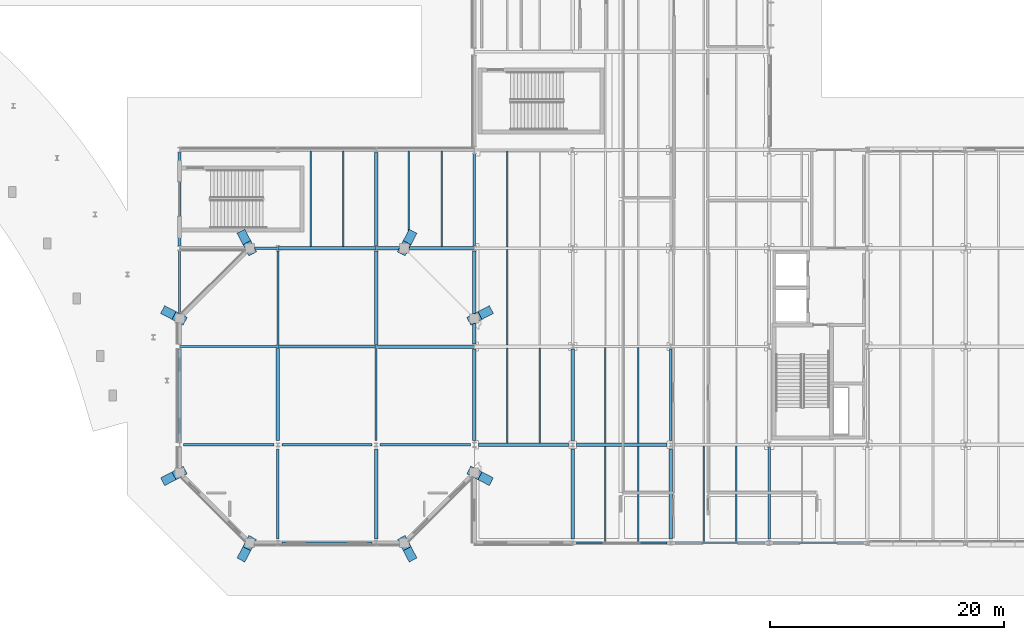
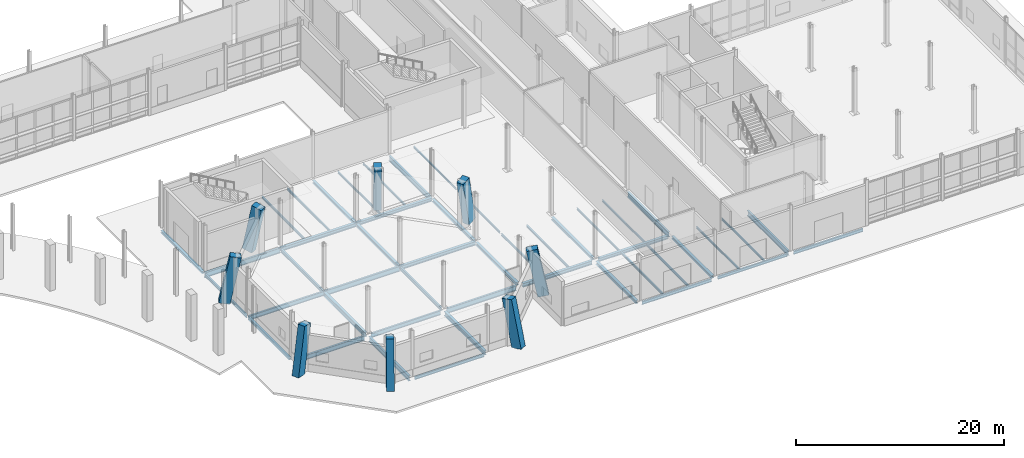
# One storey, part 22 of 124: 47 beams, 8 members.
"""IFC4 building model written with IfcOpenShell, lengths in metres."""

from ifc_helpers import new_model, si_unit, direction, frame, origin, origin_2d, place, context, subcontext, project, spatial, rectangle, i_section, extrude, material, material_profile, profile_set, type_object, element, save


model = new_model("IFC4")

# Units and contexts
model_context = context("Model", 3, precision=1e-05, world=origin(), true_north=direction((0.0, 1.0)))
body_context = subcontext(model_context, "Body", "Model", "MODEL_VIEW")
ifc_project = project(units=[si_unit("LENGTHUNIT", "METRE"), si_unit("AREAUNIT", "SQUARE_METRE"), si_unit("VOLUMEUNIT", "CUBIC_METRE"), si_unit("PLANEANGLEUNIT", "RADIAN"), si_unit("MASSUNIT", "GRAM", prefix="KILO")], contexts=[model_context])

# Site, building, storey
site_placement = place(None, origin())
site = spatial("IfcSite", under=ifc_project, at=site_placement, CompositionType="ELEMENT")
building_placement = place(site_placement, origin())
building = spatial("IfcBuilding", under=site, at=building_placement, Name="Mersafa Astral City Hall", CompositionType="ELEMENT")
storey_placement = place(building_placement, origin())
storey = spatial("IfcBuildingStorey", under=building, at=storey_placement, Name="L00", CompositionType="ELEMENT", Elevation=0.0)

# Beams
ifc_material_1 = material(Name="Steel S355", Category="steel")
ifc_material_profile_1 = material_profile(ifc_material_1, i_section(OverallWidth=0.300048828125, OverallDepth=0.31005859375, WebThickness=0.009033203125, FlangeThickness=0.015380859375, FilletRadius=0.027099609375, at=origin_2d()), Name="HEA 320")
ifc_profile_set_1 = profile_set([ifc_material_profile_1], Name="Steel S355")
beam_type_1 = type_object("IfcBeamType", Name="STR-BM-HEA320", PredefinedType="BEAM", material=ifc_profile_set_1)
for number, where, z_axis, x_axis, name in (
    (1, (84.0, 25.419921875, -0.405029296875), (0.0, 1.0, 0.0), (-1.0, 0.0, 0.0), "L00 Primary girder Y 10-3"),
    (2, (92.39990234375, 17.02001953125, -0.405029296875), (0.0, 1.0, 0.0), (-1.0, 0.0, 0.0), "L00 Primary girder Y 11-2"),
):
    element("IfcBeam", number, at=place(storey_placement, frame(where, z_axis=z_axis, x_axis=x_axis)), inside=storey, type_object=beam_type_1, Name=name, PredefinedType="BEAM", context=body_context, shape_type="SweptSolid", body=[
        extrude(i_section(OverallWidth=0.300048828125, OverallDepth=0.31005859375, WebThickness=0.009033203125, FlangeThickness=0.015380859375, FilletRadius=0.027099609375, at=origin_2d()), origin(), (0.0, 0.0, 1.0), 7.9599609375),
    ])
beam_1_placement = place(storey_placement, frame((100.800048828125, 8.7451171875, -0.405029296875), z_axis=(0.0, 1.0, 0.0), x_axis=(-1.0, 0.0, 0.0)))
element("IfcBeam", 3, at=beam_1_placement, inside=storey, type_object=beam_type_1, Name="L00 Primary girder Y 12-1", PredefinedType="BEAM", context=body_context, shape_type="SweptSolid", body=[
    extrude(i_section(OverallWidth=0.300048828125, OverallDepth=0.31005859375, WebThickness=0.009033203125, FlangeThickness=0.015380859375, FilletRadius=0.027099609375, at=origin_2d()), origin(), (0.0, 0.0, 1.0), 7.85986328125),
])
beam_2_placement = place(storey_placement, frame((109.199951171875, 0.344970703125, -0.405029296875), z_axis=(0.0, 1.0, 0.0), x_axis=(-1.0, 0.0, 0.0)))
element("IfcBeam", 4, at=beam_2_placement, inside=storey, type_object=beam_type_1, Name="L00 Primary girder Y 13-0", PredefinedType="BEAM", context=body_context, shape_type="SweptSolid", body=[
    extrude(i_section(OverallWidth=0.300048828125, OverallDepth=0.31005859375, WebThickness=0.009033203125, FlangeThickness=0.015380859375, FilletRadius=0.027099609375, at=origin_2d()), origin(), (0.0, 0.0, 1.0), 7.7099609375),
])
ifc_material_profile_2 = material_profile(ifc_material_1, i_section(OverallWidth=0.300048828125, OverallDepth=0.35009765625, WebThickness=0.010009765625, FlangeThickness=0.017578125, FilletRadius=0.027099609375, at=origin_2d()), Name="HEA 360")
ifc_profile_set_2 = profile_set([ifc_material_profile_2], Name="Steel S355")
beam_type_2 = type_object("IfcBeamType", Name="STR-BM-HEA360", PredefinedType="BEAM", material=ifc_profile_set_2)
beam_3_placement = place(storey_placement, frame((84.0, 16.97509765625, -0.425048828125), z_axis=(0.0, 1.0, 0.0), x_axis=(-1.0, 0.0, 0.0)))
element("IfcBeam", 5, at=beam_3_placement, inside=storey, type_object=beam_type_2, Name="L00 Primary girder Y 10-2", PredefinedType="BEAM", context=body_context, shape_type="SweptSolid", body=[
    extrude(i_section(OverallWidth=0.300048828125, OverallDepth=0.35009765625, WebThickness=0.010009765625, FlangeThickness=0.017578125, FilletRadius=0.027099609375, at=origin_2d()), origin(), (0.0, 0.0, 1.0), 8.0048828125),
])
beam_4_placement = place(storey_placement, frame((92.39990234375, 8.7451171875, -0.425048828125), z_axis=(0.0, 1.0, 0.0), x_axis=(-1.0, 0.0, 0.0)))
element("IfcBeam", 6, at=beam_4_placement, inside=storey, type_object=beam_type_2, Name="L00 Primary girder Y 11-1", PredefinedType="BEAM", context=body_context, shape_type="SweptSolid", body=[
    extrude(i_section(OverallWidth=0.300048828125, OverallDepth=0.35009765625, WebThickness=0.010009765625, FlangeThickness=0.017578125, FilletRadius=0.027099609375, at=origin_2d()), origin(), (0.0, 0.0, 1.0), 7.8349609375),
])
beam_5_placement = place(storey_placement, frame((100.800048828125, 0.344970703125, -0.425048828125), z_axis=(0.0, 1.0, 0.0), x_axis=(-1.0, 0.0, 0.0)))
element("IfcBeam", 7, at=beam_5_placement, inside=storey, type_object=beam_type_2, Name="L00 Primary girder Y 12-0", PredefinedType="BEAM", context=body_context, shape_type="SweptSolid", body=[
    extrude(i_section(OverallWidth=0.300048828125, OverallDepth=0.35009765625, WebThickness=0.010009765625, FlangeThickness=0.017578125, FilletRadius=0.027099609375, at=origin_2d()), origin(), (0.0, 0.0, 1.0), 7.7099609375),
])
ifc_material_profile_3 = material_profile(ifc_material_1, i_section(OverallWidth=0.300048828125, OverallDepth=0.389892578125, WebThickness=0.010986328125, FlangeThickness=0.01904296875, FilletRadius=0.027099609375, at=origin_2d()), Name="HEA 400")
ifc_profile_set_3 = profile_set([ifc_material_profile_3], Name="Steel S355")
beam_type_3 = type_object("IfcBeamType", Name="STR-BM-HEA400", PredefinedType="BEAM", material=ifc_profile_set_3)
beam_6_placement = place(storey_placement, frame((101.14501953125, 8.39990234375, -0.445068359375), z_axis=(1.0, 0.0, 0.0), x_axis=(0.0, 1.0, 0.0)))
element("IfcBeam", 8, at=beam_6_placement, inside=storey, type_object=beam_type_3, Name="L00 Primary girder X 12-1", PredefinedType="BEAM", context=body_context, shape_type="SweptSolid", body=[
    extrude(i_section(OverallWidth=0.300048828125, OverallDepth=0.389892578125, WebThickness=0.010986328125, FlangeThickness=0.01904296875, FilletRadius=0.027099609375, at=origin_2d()), origin(), (0.0, 0.0, 1.0), 7.7099609375),
])
beam_7_placement = place(storey_placement, frame((84.0029296875, 25.199951171875, -0.445068359375), z_axis=(1.0, 0.0, 0.0), x_axis=(0.0, 1.0, 0.0)))
element("IfcBeam", 9, at=beam_7_placement, inside=storey, type_object=beam_type_3, Name="L00 Primary girder X 10-3", PredefinedType="BEAM", context=body_context, shape_type="SweptSolid", body=[
    extrude(i_section(OverallWidth=0.300048828125, OverallDepth=0.389892578125, WebThickness=0.010986328125, FlangeThickness=0.01904296875, FilletRadius=0.027099609375, at=origin_2d()), origin(), (0.0, 0.0, 1.0), 8.39404296875),
])
ifc_material_profile_4 = material_profile(ifc_material_1, i_section(OverallWidth=0.300048828125, OverallDepth=0.43994140625, WebThickness=0.011474609375, FlangeThickness=0.02099609375, FilletRadius=0.027099609375, at=origin_2d()), Name="HEA 450")
ifc_profile_set_4 = profile_set([ifc_material_profile_4], Name="Steel S355")
beam_type_4 = type_object("IfcBeamType", Name="STR-BM-HEA450", PredefinedType="BEAM", material=ifc_profile_set_4)
beam_8_placement = place(storey_placement, frame((92.7451171875, 8.39990234375, -0.469970703125), z_axis=(1.0, 0.0, 0.0), x_axis=(0.0, 1.0, 0.0)))
element("IfcBeam", 10, at=beam_8_placement, inside=storey, type_object=beam_type_4, Name="L00 Primary girder X 11-1", PredefinedType="BEAM", context=body_context, shape_type="SweptSolid", body=[
    extrude(i_section(OverallWidth=0.300048828125, OverallDepth=0.43994140625, WebThickness=0.011474609375, FlangeThickness=0.02099609375, FilletRadius=0.027099609375, at=origin_2d()), origin(), (0.0, 0.0, 1.0), 7.7099609375),
])
for number, where, z_axis, x_axis, name in (
    (11, (84.0029296875, 16.800048828125, -0.469970703125), (1.0, 0.0, 0.0), (0.0, 1.0, 0.0), "L00 Primary girder X 10-2"),
    (12, (75.60302734375, 25.199951171875, -0.469970703125), (1.0, 0.0, 0.0), (0.0, 1.0, 0.0), "L00 Primary girder X 9-3"),
):
    element("IfcBeam", number, at=place(storey_placement, frame(where, z_axis=z_axis, x_axis=x_axis)), inside=storey, type_object=beam_type_4, Name=name, PredefinedType="BEAM", context=body_context, shape_type="SweptSolid", body=[
        extrude(i_section(OverallWidth=0.300048828125, OverallDepth=0.43994140625, WebThickness=0.011474609375, FlangeThickness=0.02099609375, FilletRadius=0.027099609375, at=origin_2d()), origin(), (0.0, 0.0, 1.0), 8.39404296875),
    ])
ifc_material_profile_5 = material_profile(ifc_material_1, i_section(OverallWidth=0.300048828125, OverallDepth=0.489990234375, WebThickness=0.011962890625, FlangeThickness=0.02294921875, FilletRadius=0.027099609375, at=origin_2d()), Name="HEA 500")
ifc_profile_set_5 = profile_set([ifc_material_profile_5], Name="Steel S355")
beam_type_5 = type_object("IfcBeamType", Name="STR-BM-HEA500", PredefinedType="BEAM", material=ifc_profile_set_5)
beam_9_placement = place(storey_placement, frame((75.60009765625, 8.7451171875, -0.4951171875), z_axis=(0.0, 1.0, 0.0), x_axis=(-1.0, 0.0, 0.0)))
element("IfcBeam", 13, at=beam_9_placement, inside=storey, type_object=beam_type_5, Name="L00 Primary girder Y 9-1", PredefinedType="BEAM", context=body_context, shape_type="SweptSolid", body=[
    extrude(i_section(OverallWidth=0.300048828125, OverallDepth=0.489990234375, WebThickness=0.011962890625, FlangeThickness=0.02294921875, FilletRadius=0.027099609375, at=origin_2d()), origin(), (0.0, 0.0, 1.0), 7.889892578125),
])
beam_10_placement = place(storey_placement, frame((84.0, 0.344970703125, -0.4951171875), z_axis=(0.0, 1.0, 0.0), x_axis=(-1.0, 0.0, 0.0)))
element("IfcBeam", 14, at=beam_10_placement, inside=storey, type_object=beam_type_5, Name="L00 Primary girder Y 10-0", PredefinedType="BEAM", context=body_context, shape_type="SweptSolid", body=[
    extrude(i_section(OverallWidth=0.300048828125, OverallDepth=0.489990234375, WebThickness=0.011962890625, FlangeThickness=0.02294921875, FilletRadius=0.027099609375, at=origin_2d()), origin(), (0.0, 0.0, 1.0), 7.7099609375),
])
ifc_material_profile_6 = material_profile(ifc_material_1, i_section(OverallWidth=0.179931640625, OverallDepth=0.39990234375, WebThickness=0.008544921875, FlangeThickness=0.013427734375, FilletRadius=0.02099609375, at=origin_2d()), Name="IPE 400")
ifc_profile_set_6 = profile_set([ifc_material_profile_6], Name="Steel S355")
beam_type_6 = type_object("IfcBeamType", Name="STR-BM-IPE400", PredefinedType="BEAM", material=ifc_profile_set_6)
beam_11_placement = place(storey_placement, frame((75.60009765625, 16.965087890625, -0.449951171875), z_axis=(0.0, 1.0, 0.0), x_axis=(-1.0, 0.0, 0.0)))
element("IfcBeam", 15, at=beam_11_placement, inside=storey, type_object=beam_type_6, Name="L00 Primary girder Y 9-2", PredefinedType="BEAM", context=body_context, shape_type="SweptSolid", body=[
    extrude(i_section(OverallWidth=0.179931640625, OverallDepth=0.39990234375, WebThickness=0.008544921875, FlangeThickness=0.013427734375, FilletRadius=0.02099609375, at=origin_2d()), origin(), (0.0, 0.0, 1.0), 8.014892578125),
])
beam_12_placement = place(storey_placement, frame((84.0, 8.7451171875, -0.449951171875), z_axis=(0.0, 1.0, 0.0), x_axis=(-1.0, 0.0, 0.0)))
element("IfcBeam", 16, at=beam_12_placement, inside=storey, type_object=beam_type_6, Name="L00 Primary girder Y 10-1", PredefinedType="BEAM", context=body_context, shape_type="SweptSolid", body=[
    extrude(i_section(OverallWidth=0.179931640625, OverallDepth=0.39990234375, WebThickness=0.008544921875, FlangeThickness=0.013427734375, FilletRadius=0.02099609375, at=origin_2d()), origin(), (0.0, 0.0, 1.0), 7.8798828125),
])
ifc_material_profile_7 = material_profile(ifc_material_1, i_section(OverallWidth=0.199951171875, OverallDepth=0.5, WebThickness=0.01025390625, FlangeThickness=0.01611328125, FilletRadius=0.02099609375, at=origin_2d()), Name="IPE 500")
ifc_profile_set_7 = profile_set([ifc_material_profile_7], Name="Steel S355")
beam_type_7 = type_object("IfcBeamType", Name="STR-BM-IPE500", PredefinedType="BEAM", material=ifc_profile_set_7)
beam_13_placement = place(storey_placement, frame((75.945068359375, 8.39990234375, -0.5), z_axis=(1.0, 0.0, 0.0), x_axis=(0.0, 1.0, 0.0)))
element("IfcBeam", 17, at=beam_13_placement, inside=storey, type_object=beam_type_7, Name="L00 Primary girder X 9-1", PredefinedType="BEAM", context=body_context, shape_type="SweptSolid", body=[
    extrude(i_section(OverallWidth=0.199951171875, OverallDepth=0.5, WebThickness=0.01025390625, FlangeThickness=0.01611328125, FilletRadius=0.02099609375, at=origin_2d()), origin(), (0.0, 0.0, 1.0), 7.7099609375),
])
beam_14_placement = place(storey_placement, frame((67.202880859375, 16.800048828125, -0.5), z_axis=(1.0, 0.0, 0.0), x_axis=(0.0, 1.0, 0.0)))
element("IfcBeam", 18, at=beam_14_placement, inside=storey, type_object=beam_type_7, Name="L00 Primary girder X 8-2", PredefinedType="BEAM", context=body_context, shape_type="SweptSolid", body=[
    extrude(i_section(OverallWidth=0.199951171875, OverallDepth=0.5, WebThickness=0.01025390625, FlangeThickness=0.01611328125, FilletRadius=0.02099609375, at=origin_2d()), origin(), (0.0, 0.0, 1.0), 8.39404296875),
])
ifc_material_profile_8 = material_profile(ifc_material_1, i_section(OverallWidth=0.2099609375, OverallDepth=0.550048828125, WebThickness=0.010986328125, FlangeThickness=0.01708984375, FilletRadius=0.02392578125, at=origin_2d()), Name="IPE 550")
ifc_profile_set_8 = profile_set([ifc_material_profile_8], Name="Steel S355")
beam_type_8 = type_object("IfcBeamType", Name="STR-BM-IPE550", PredefinedType="BEAM", material=ifc_profile_set_8)
beam_15_placement = place(storey_placement, frame((67.544921875, 8.39990234375, -0.52490234375), z_axis=(1.0, 0.0, 0.0), x_axis=(0.0, 1.0, 0.0)))
element("IfcBeam", 19, at=beam_15_placement, inside=storey, type_object=beam_type_8, Name="L00 Primary girder X 8-1", PredefinedType="BEAM", context=body_context, shape_type="SweptSolid", body=[
    extrude(i_section(OverallWidth=0.2099609375, OverallDepth=0.550048828125, WebThickness=0.010986328125, FlangeThickness=0.01708984375, FilletRadius=0.02392578125, at=origin_2d()), origin(), (0.0, 0.0, 1.0), 7.7099609375),
])
ifc_material_profile_9 = material_profile(ifc_material_1, i_section(OverallWidth=0.219970703125, OverallDepth=0.60009765625, WebThickness=0.011962890625, FlangeThickness=0.01904296875, FilletRadius=0.02392578125, at=origin_2d()), Name="IPE 600")
ifc_profile_set_9 = profile_set([ifc_material_profile_9], Name="Steel S355")
beam_type_9 = type_object("IfcBeamType", Name="STR-BM-IPE600", PredefinedType="BEAM", material=ifc_profile_set_9)
beam_16_placement = place(storey_placement, frame((84.344970703125, 8.39990234375, -0.550048828125), z_axis=(1.0, 0.0, 0.0), x_axis=(0.0, 1.0, 0.0)))
element("IfcBeam", 20, at=beam_16_placement, inside=storey, type_object=beam_type_9, Name="L00 Primary girder X 10-1", PredefinedType="BEAM", context=body_context, shape_type="SweptSolid", body=[
    extrude(i_section(OverallWidth=0.219970703125, OverallDepth=0.60009765625, WebThickness=0.011962890625, FlangeThickness=0.01904296875, FilletRadius=0.02392578125, at=origin_2d()), origin(), (0.0, 0.0, 1.0), 7.7099609375),
])
for number, where, z_axis, x_axis, name in (
    (21, (75.60302734375, 16.800048828125, -0.550048828125), (1.0, 0.0, 0.0), (0.0, 1.0, 0.0), "L00 Primary girder X 9-2"),
    (22, (67.202880859375, 25.199951171875, -0.550048828125), (1.0, 0.0, 0.0), (0.0, 1.0, 0.0), "L00 Primary girder X 8-3"),
):
    element("IfcBeam", number, at=place(storey_placement, frame(where, z_axis=z_axis, x_axis=x_axis)), inside=storey, type_object=beam_type_9, Name=name, PredefinedType="BEAM", context=body_context, shape_type="SweptSolid", body=[
        extrude(i_section(OverallWidth=0.219970703125, OverallDepth=0.60009765625, WebThickness=0.011962890625, FlangeThickness=0.01904296875, FilletRadius=0.02392578125, at=origin_2d()), origin(), (0.0, 0.0, 1.0), 8.39404296875),
    ])
beam_17_placement = place(storey_placement, frame((75.60009765625, 0.344970703125, -0.550048828125), z_axis=(0.0, 1.0, 0.0), x_axis=(-1.0, 0.0, 0.0)))
element("IfcBeam", 23, at=beam_17_placement, inside=storey, type_object=beam_type_9, Name="L00 Primary girder Y 9-0", PredefinedType="BEAM", context=body_context, shape_type="SweptSolid", body=[
    extrude(i_section(OverallWidth=0.219970703125, OverallDepth=0.60009765625, WebThickness=0.011962890625, FlangeThickness=0.01904296875, FilletRadius=0.02392578125, at=origin_2d()), origin(), (0.0, 0.0, 1.0), 7.7099609375),
])
beam_18_placement = place(storey_placement, frame((92.39990234375, 25.419921875, -0.550048828125), z_axis=(0.0, 1.0, 0.0), x_axis=(-1.0, 0.0, 0.0)))
element("IfcBeam", 24, at=beam_18_placement, inside=storey, type_object=beam_type_9, Name="L00 Primary girder Y 11-3", PredefinedType="BEAM", context=body_context, shape_type="SweptSolid", body=[
    extrude(i_section(OverallWidth=0.219970703125, OverallDepth=0.60009765625, WebThickness=0.011962890625, FlangeThickness=0.01904296875, FilletRadius=0.02392578125, at=origin_2d()), origin(), (0.0, 0.0, 1.0), 7.860107421875),
])
beam_19_placement = place(storey_placement, frame((109.199951171875, 8.7451171875, -0.550048828125), z_axis=(0.0, 1.0, 0.0), x_axis=(-1.0, 0.0, 0.0)))
element("IfcBeam", 25, at=beam_19_placement, inside=storey, type_object=beam_type_9, Name="L00 Primary girder Y 13-1", PredefinedType="BEAM", context=body_context, shape_type="SweptSolid", body=[
    extrude(i_section(OverallWidth=0.219970703125, OverallDepth=0.60009765625, WebThickness=0.011962890625, FlangeThickness=0.01904296875, FilletRadius=0.02392578125, at=origin_2d()), origin(), (0.0, 0.0, 1.0), 7.85986328125),
])
beam_20_placement = place(storey_placement, frame((117.60009765625, 0.344970703125, -0.550048828125), z_axis=(0.0, 1.0, 0.0), x_axis=(-1.0, 0.0, 0.0)))
element("IfcBeam", 26, at=beam_20_placement, inside=storey, type_object=beam_type_9, Name="L00 Primary girder Y 14-0", PredefinedType="BEAM", context=body_context, shape_type="SweptSolid", body=[
    extrude(i_section(OverallWidth=0.219970703125, OverallDepth=0.60009765625, WebThickness=0.011962890625, FlangeThickness=0.01904296875, FilletRadius=0.02392578125, at=origin_2d()), origin(), (0.0, 0.0, 1.0), 7.81005859375),
])
ifc_material_profile_10 = material_profile(ifc_material_1, i_section(OverallWidth=0.110107421875, OverallDepth=0.219970703125, WebThickness=0.005859375, FlangeThickness=0.00927734375, FilletRadius=0.011962890625, at=origin_2d()), Name="IPE 220")
ifc_profile_set_10 = profile_set([ifc_material_profile_10], Name="Steel S355")
beam_type_10 = type_object("IfcBeamType", Name="STR-BM-JOIST-IPE220", PredefinedType="JOIST", material=ifc_profile_set_10)
beam_21_placement = place(storey_placement, frame((95.199951171875, 25.300048828125, -0.360107421875), z_axis=(0.0, 1.0, 0.0), x_axis=(-1.0, 0.0, 0.0)))
element("IfcBeam", 27, at=beam_21_placement, inside=storey, type_object=beam_type_10, Name="L00 Composite secondary floor joist 62", PredefinedType="JOIST", context=body_context, shape_type="SweptSolid", body=[
    extrude(i_section(OverallWidth=0.110107421875, OverallDepth=0.219970703125, WebThickness=0.005859375, FlangeThickness=0.00927734375, FilletRadius=0.011962890625, at=origin_2d()), origin(), (0.0, 0.0, 1.0), 8.204833984375),
])
ifc_material_profile_11 = material_profile(ifc_material_1, i_section(OverallWidth=0.1201171875, OverallDepth=0.239990234375, WebThickness=0.006103515625, FlangeThickness=0.009765625, FilletRadius=0.014892578125, at=origin_2d()), Name="IPE 240")
ifc_profile_set_11 = profile_set([ifc_material_profile_11], Name="Steel S355")
beam_type_11 = type_object("IfcBeamType", Name="STR-BM-JOIST-IPE240", PredefinedType="JOIST", material=ifc_profile_set_11)
for number, where, z_axis, x_axis, name in (
    (28, (86.800048828125, 25.344970703125, -0.3701171875), (0.0, 1.0, 0.0), (-1.0, 0.0, 0.0), "L00 Composite secondary floor joist 52"),
    (29, (89.60009765625, 25.344970703125, -0.3701171875), (0.0, 1.0, 0.0), (-1.0, 0.0, 0.0), "L00 Composite secondary floor joist 53"),
):
    element("IfcBeam", number, at=place(storey_placement, frame(where, z_axis=z_axis, x_axis=x_axis)), inside=storey, type_object=beam_type_11, Name=name, PredefinedType="JOIST", context=body_context, shape_type="SweptSolid", body=[
        extrude(i_section(OverallWidth=0.1201171875, OverallDepth=0.239990234375, WebThickness=0.006103515625, FlangeThickness=0.009765625, FilletRadius=0.014892578125, at=origin_2d()), origin(), (0.0, 0.0, 1.0), 8.175048828125),
    ])
for number, where, z_axis, x_axis, name in (
    (30, (95.199951171875, 16.945068359375, -0.3701171875), (0.0, 1.0, 0.0), (-1.0, 0.0, 0.0), "L00 Composite secondary floor joist 60"),
    (31, (103.60009765625, 8.544921875, -0.3701171875), (0.0, 1.0, 0.0), (-1.0, 0.0, 0.0), "L00 Composite secondary floor joist 80"),
    (32, (106.39990234375, 8.544921875, -0.3701171875), (0.0, 1.0, 0.0), (-1.0, 0.0, 0.0), "L00 Composite secondary floor joist 81"),
):
    element("IfcBeam", number, at=place(storey_placement, frame(where, z_axis=z_axis, x_axis=x_axis)), inside=storey, type_object=beam_type_11, Name=name, PredefinedType="JOIST", context=body_context, shape_type="SweptSolid", body=[
        extrude(i_section(OverallWidth=0.1201171875, OverallDepth=0.239990234375, WebThickness=0.006103515625, FlangeThickness=0.009765625, FilletRadius=0.014892578125, at=origin_2d()), origin(), (0.0, 0.0, 1.0), 8.155029296875),
    ])
for number, where, z_axis, x_axis, name in (
    (33, (112.0, 0.074951171875, -0.3701171875), (0.0, 1.0, 0.0), (-1.0, 0.0, 0.0), "L00 Composite secondary floor joist 108"),
    (34, (114.800048828125, 0.074951171875, -0.3701171875), (0.0, 1.0, 0.0), (-1.0, 0.0, 0.0), "L00 Composite secondary floor joist 109"),
):
    element("IfcBeam", number, at=place(storey_placement, frame(where, z_axis=z_axis, x_axis=x_axis)), inside=storey, type_object=beam_type_11, Name=name, PredefinedType="JOIST", context=body_context, shape_type="SweptSolid", body=[
        extrude(i_section(OverallWidth=0.1201171875, OverallDepth=0.239990234375, WebThickness=0.006103515625, FlangeThickness=0.009765625, FilletRadius=0.014892578125, at=origin_2d()), origin(), (0.0, 0.0, 1.0), 8.22509765625),
    ])
ifc_material_profile_12 = material_profile(ifc_material_1, i_section(OverallWidth=0.135009765625, OverallDepth=0.27001953125, WebThickness=0.006591796875, FlangeThickness=0.01025390625, FilletRadius=0.014892578125, at=origin_2d()), Name="IPE 270")
ifc_profile_set_12 = profile_set([ifc_material_profile_12], Name="Steel S355")
beam_type_12 = type_object("IfcBeamType", Name="STR-BM-JOIST-IPE270", PredefinedType="JOIST", material=ifc_profile_set_12)
for number, where, z_axis, x_axis, name in (
    (35, (78.39990234375, 25.344970703125, -0.385009765625), (0.0, 1.0, 0.0), (-1.0, 0.0, 0.0), "L00 Composite secondary floor joist 46"),
    (36, (81.199951171875, 25.344970703125, -0.385009765625), (0.0, 1.0, 0.0), (-1.0, 0.0, 0.0), "L00 Composite secondary floor joist 47"),
):
    element("IfcBeam", number, at=place(storey_placement, frame(where, z_axis=z_axis, x_axis=x_axis)), inside=storey, type_object=beam_type_12, Name=name, PredefinedType="JOIST", context=body_context, shape_type="SweptSolid", body=[
        extrude(i_section(OverallWidth=0.135009765625, OverallDepth=0.27001953125, WebThickness=0.006591796875, FlangeThickness=0.01025390625, FilletRadius=0.014892578125, at=origin_2d()), origin(), (0.0, 0.0, 1.0), 8.179931640625),
    ])
for number, where, z_axis, x_axis, name in (
    (37, (95.199951171875, 8.544921875, -0.385009765625), (0.0, 1.0, 0.0), (-1.0, 0.0, 0.0), "L00 Composite secondary floor joist 58"),
    (38, (98.0, 8.544921875, -0.385009765625), (0.0, 1.0, 0.0), (-1.0, 0.0, 0.0), "L00 Composite secondary floor joist 59"),
):
    element("IfcBeam", number, at=place(storey_placement, frame(where, z_axis=z_axis, x_axis=x_axis)), inside=storey, type_object=beam_type_12, Name=name, PredefinedType="JOIST", context=body_context, shape_type="SweptSolid", body=[
        extrude(i_section(OverallWidth=0.135009765625, OverallDepth=0.27001953125, WebThickness=0.006591796875, FlangeThickness=0.01025390625, FilletRadius=0.014892578125, at=origin_2d()), origin(), (0.0, 0.0, 1.0), 8.110107421875),
    ])
for number, where, z_axis, x_axis, name in (
    (39, (103.60009765625, 0.080078125, -0.385009765625), (0.0, 1.0, 0.0), (-1.0, 0.0, 0.0), "L00 Composite secondary floor joist 78"),
    (40, (106.39990234375, 0.080078125, -0.385009765625), (0.0, 1.0, 0.0), (-1.0, 0.0, 0.0), "L00 Composite secondary floor joist 79"),
):
    element("IfcBeam", number, at=place(storey_placement, frame(where, z_axis=z_axis, x_axis=x_axis)), inside=storey, type_object=beam_type_12, Name=name, PredefinedType="JOIST", context=body_context, shape_type="SweptSolid", body=[
        extrude(i_section(OverallWidth=0.135009765625, OverallDepth=0.27001953125, WebThickness=0.006591796875, FlangeThickness=0.01025390625, FilletRadius=0.014892578125, at=origin_2d()), origin(), (0.0, 0.0, 1.0), 8.1748046875),
    ])
ifc_material_profile_13 = material_profile(ifc_material_1, i_section(OverallWidth=0.280029296875, OverallDepth=0.27001953125, WebThickness=0.008056640625, FlangeThickness=0.012939453125, FilletRadius=0.02392578125, at=origin_2d()), Name="HEA 280")
ifc_profile_set_13 = profile_set([ifc_material_profile_13], Name="Steel S355")
beam_type_13 = type_object("IfcBeamType", Name="STR-BM-SPANDREL-HEA280", PredefinedType="SPANDREL", material=ifc_profile_set_13)
beam_22_placement = place(storey_placement, frame((67.199951171875, 8.7451171875, -0.385009765625), z_axis=(0.0, 1.0, 0.0), x_axis=(-1.0, 0.0, 0.0)))
element("IfcBeam", 41, at=beam_22_placement, inside=storey, type_object=beam_type_13, Name="L00 Primary girder Y 8-1", PredefinedType="SPANDREL", context=body_context, shape_type="SweptSolid", body=[
    extrude(i_section(OverallWidth=0.280029296875, OverallDepth=0.27001953125, WebThickness=0.008056640625, FlangeThickness=0.012939453125, FilletRadius=0.02392578125, at=origin_2d()), origin(), (0.0, 0.0, 1.0), 7.8349609375),
])
beam_23_placement = place(storey_placement, frame((67.199951171875, 25.419921875, -0.385009765625), z_axis=(0.0, 1.0, 0.0), x_axis=(-1.0, 0.0, 0.0)))
element("IfcBeam", 42, at=beam_23_placement, inside=storey, type_object=beam_type_13, Name="L00 Primary girder Y 8-3", PredefinedType="SPANDREL", context=body_context, shape_type="SweptSolid", body=[
    extrude(i_section(OverallWidth=0.280029296875, OverallDepth=0.27001953125, WebThickness=0.008056640625, FlangeThickness=0.012939453125, FilletRadius=0.02392578125, at=origin_2d()), origin(), (0.0, 0.0, 1.0), 7.9599609375),
])
ifc_material_profile_14 = material_profile(ifc_material_1, i_section(OverallWidth=0.159912109375, OverallDepth=0.330078125, WebThickness=0.007568359375, FlangeThickness=0.011474609375, FilletRadius=0.01806640625, at=origin_2d()), Name="IPE 330")
ifc_profile_set_14 = profile_set([ifc_material_profile_14], Name="Steel S355")
beam_type_14 = type_object("IfcBeamType", Name="STR-BM-SPANDREL-IPE330", PredefinedType="SPANDREL", material=ifc_profile_set_14)
for number, where, z_axis, x_axis, name in (
    (43, (75.945068359375, 0.0, -0.4150390625), (1.0, 0.0, 0.0), (0.0, 1.0, 0.0), "L00 Primary girder X 9-0"),
    (44, (109.544921875, 0.0, -0.4150390625), (1.0, 0.0, 0.0), (0.0, 1.0, 0.0), "L00 Primary girder X 13-0"),
):
    element("IfcBeam", number, at=place(storey_placement, frame(where, z_axis=z_axis, x_axis=x_axis)), inside=storey, type_object=beam_type_14, Name=name, PredefinedType="SPANDREL", context=body_context, shape_type="SweptSolid", body=[
        extrude(i_section(OverallWidth=0.159912109375, OverallDepth=0.330078125, WebThickness=0.007568359375, FlangeThickness=0.011474609375, FilletRadius=0.01806640625, at=origin_2d()), origin(), (0.0, 0.0, 1.0), 7.7099609375),
    ])
ifc_material_profile_15 = material_profile(ifc_material_1, i_section(OverallWidth=0.169921875, OverallDepth=0.360107421875, WebThickness=0.008056640625, FlangeThickness=0.0126953125, FilletRadius=0.01806640625, at=origin_2d()), Name="IPE 360")
ifc_profile_set_15 = profile_set([ifc_material_profile_15], Name="Steel S355")
beam_type_15 = type_object("IfcBeamType", Name="STR-BM-SPANDREL-IPE360", PredefinedType="SPANDREL", material=ifc_profile_set_15)
for number, where, z_axis, x_axis, name in (
    (45, (101.14501953125, 0.0, -0.429931640625), (1.0, 0.0, 0.0), (0.0, 1.0, 0.0), "L00 Primary girder X 12-0"),
    (46, (117.945068359375, 0.0, -0.429931640625), (1.0, 0.0, 0.0), (0.0, 1.0, 0.0), "L00 Primary girder X 14-0"),
):
    element("IfcBeam", number, at=place(storey_placement, frame(where, z_axis=z_axis, x_axis=x_axis)), inside=storey, type_object=beam_type_15, Name=name, PredefinedType="SPANDREL", context=body_context, shape_type="SweptSolid", body=[
        extrude(i_section(OverallWidth=0.169921875, OverallDepth=0.360107421875, WebThickness=0.008056640625, FlangeThickness=0.0126953125, FilletRadius=0.01806640625, at=origin_2d()), origin(), (0.0, 0.0, 1.0), 7.7099609375),
    ])
beam_24_placement = place(storey_placement, frame((67.199951171875, 17.02001953125, -0.429931640625), z_axis=(0.0, 1.0, 0.0), x_axis=(-1.0, 0.0, 0.0)))
element("IfcBeam", 47, at=beam_24_placement, inside=storey, type_object=beam_type_15, Name="L00 Primary girder Y 8-2", PredefinedType="SPANDREL", context=body_context, shape_type="SweptSolid", body=[
    extrude(i_section(OverallWidth=0.169921875, OverallDepth=0.360107421875, WebThickness=0.008056640625, FlangeThickness=0.0126953125, FilletRadius=0.01806640625, at=origin_2d()), origin(), (0.0, 0.0, 1.0), 7.9599609375),
])

# Members
ifc_material_2 = material(Name="Concrete C40/50", Category="concrete")
ifc_material_profile_16 = material_profile(ifc_material_2, rectangle(XDim=0.75, YDim=1.10009765625, at=origin_2d()), Name="RC 750x1100")
ifc_profile_set_16 = profile_set([ifc_material_profile_16], Name="Concrete C40/50")
member_type = type_object("IfcMemberType", Name="STR-MBR-PIER-RC750X1100", PredefinedType="BRACE", material=ifc_profile_set_16)
for number, where, z_axis, x_axis, name in (
    (48, (72.689697265625, -0.974365234375, 0.0), (0.092591963709, 0.176810778546, 0.979879929811), (-0.885879321117, 0.463915755734, 0.0), "L00 Chamber raked cosmic pier OCT-1"),
    (49, (86.910400390625, -0.974365234375, 0.0), (-0.092635885997, 0.176810053091, 0.979875909364), (-0.885788089931, -0.464089926346, 0.0), "L00 Chamber raked cosmic pier OCT-2"),
    (50, (93.37451171875, 5.489501953125, 0.0), (-0.176852969814, 0.092635160291, 0.979868233053), (-0.46399870291, -0.885835878534, 0.0), "L00 Chamber raked cosmic pier OCT-3"),
    (51, (93.37451171875, 19.71044921875, 0.0), (-0.176852969814, -0.092635160291, 0.979868233053), (0.46399870291, -0.885835878534, 0.0), "L00 Chamber raked cosmic pier OCT-4"),
    (52, (86.910400390625, 26.17431640625, 0.0), (-0.092635885997, -0.176810053091, 0.979875909364), (0.885788089931, -0.464089926346, 0.0), "L00 Chamber raked cosmic pier OCT-5"),
    (53, (72.689697265625, 26.17431640625, 0.0), (0.092591963709, -0.176810778546, 0.979879929811), (0.885879321117, 0.463915755734, 0.0), "L00 Chamber raked cosmic pier OCT-6"),
    (54, (66.2255859375, 19.71044921875, 0.0), (0.176810053091, -0.092635885997, 0.979875909364), (0.464089926346, 0.885788089931, 0.0), "L00 Chamber raked cosmic pier OCT-7"),
    (55, (66.2255859375, 5.489501953125, 0.0), (0.176810053091, 0.092635885997, 0.979875909364), (-0.464089926346, 0.885788089931, 0.0), "L00 Chamber raked cosmic pier OCT-8"),
):
    element("IfcMember", number, at=place(storey_placement, frame(where, z_axis=z_axis, x_axis=x_axis)), inside=storey, type_object=member_type, Name=name, PredefinedType="BRACE", context=body_context, shape_type="SweptSolid", body=[
        extrude(rectangle(XDim=0.75, YDim=1.10009765625, at=origin_2d()), origin(), (0.0, 0.0, 1.0), 5.5107421875),
    ])

save(model, "model.ifc")
